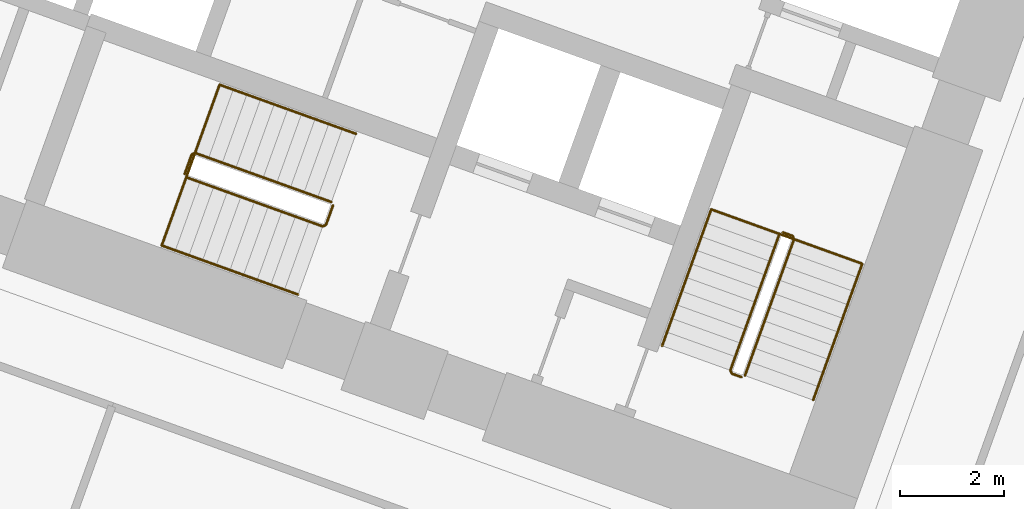
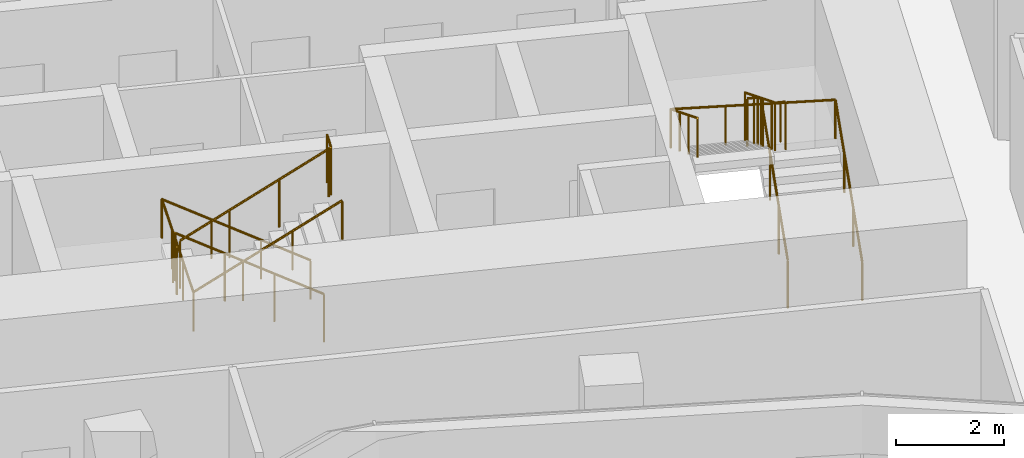
# One storey, part 20 of 20: 6 railings.
"""IFC4 building model written with IfcOpenShell, lengths in metres."""

import ifcopenshell
import ifcopenshell.guid

model = None  # the IFC model being written
_history = None  # IfcOwnerHistory: only IFC2X3 demands one
_inside = {}  # id of a spatial element -> (the spatial element, [elements in it])
_under = {}  # id of a project, library or spatial element -> (it, [spatial elements below it])
_declared = {}  # id of a project -> (the project, [libraries it declares])
_typed = {}  # id of a type object -> (the type object, [elements of that type])
_made_of = {}  # id of a material, layer set ... -> (it, [elements and type objects made of it])


def new_model(schema):
    """Start an empty IFC model of exactly this schema.

    Asked for "IFC4X3", IfcOpenShell would pick the latest addendum, in which some entities
    have other attributes; the version numbers below select the first issue.
    IFC2X3 requires an IfcOwnerHistory on every rooted entity: one is made here for all.
    """
    global model, _history
    if schema == "IFC4X3":
        model = ifcopenshell.file(schema_version=(4, 3, 0, 0))
    else:
        model = ifcopenshell.file(schema=schema)
    _inside.clear()
    _under.clear()
    _declared.clear()
    _typed.clear()
    _made_of.clear()
    _history = None
    if model.schema == "IFC2X3":
        org = make("IfcOrganization", Name="unknown")
        user = make(
            "IfcPersonAndOrganization",
            ThePerson=make("IfcPerson", FamilyName="unknown"),
            TheOrganization=org,
        )
        app = make(
            "IfcApplication",
            ApplicationDeveloper=org,
            Version="unknown",
            ApplicationFullName="unknown",
            ApplicationIdentifier="unknown",
        )
        _history = make(
            "IfcOwnerHistory",
            OwningUser=user,
            OwningApplication=app,
            ChangeAction="ADDED",
            CreationDate=0,
        )
    return model


def make(cls, **values):
    """One entity of the class cls with the attributes given. An attribute that is None is left unset."""
    return model.create_entity(
        cls, **{name: value for name, value in values.items() if value is not None}
    )


def rooted(cls, **values):
    """An entity with a GlobalId (a new one), such as an element, a storey or a relation."""
    return make(cls, GlobalId=ifcopenshell.guid.new(), OwnerHistory=_history, **values)


def si_unit(unit_type, name, prefix=None):
    """IfcSIUnit, for example si_unit("LENGTHUNIT", "METRE", prefix="MILLI")."""
    return make("IfcSIUnit", UnitType=unit_type, Prefix=prefix, Name=name)


def assignment(units):
    """IfcUnitAssignment: the units of a project."""
    return None if units is None else make("IfcUnitAssignment", Units=units)


def point(xyz):
    """IfcCartesianPoint."""
    return None if xyz is None else make("IfcCartesianPoint", Coordinates=xyz)


def direction(xyz):
    """IfcDirection."""
    return None if xyz is None else make("IfcDirection", DirectionRatios=xyz)


def frame(location, z_axis=None, x_axis=None):
    """IfcAxis2Placement3D, a coordinate frame: its origin and axes. An axis left out is left unset."""
    return make(
        "IfcAxis2Placement3D",
        Location=point(location),
        Axis=direction(z_axis),
        RefDirection=direction(x_axis),
    )


def frame_2d(location, x_axis=None):
    """IfcAxis2Placement2D, a coordinate frame in the plane: its origin and x axis."""
    return make(
        "IfcAxis2Placement2D", Location=point(location), RefDirection=direction(x_axis)
    )


def origin():
    """The frame at (0, 0, 0) with its axes left unset."""
    return frame((0.0, 0.0, 0.0))


def origin_2d():
    """The frame at (0, 0) in the plane with its x axis left unset."""
    return frame_2d((0.0, 0.0))


def place(relative_to, where):
    """IfcLocalPlacement: puts the frame where relative to a parent placement (None: the world)."""
    return make(
        "IfcLocalPlacement", PlacementRelTo=relative_to, RelativePlacement=where
    )


def context(
    kind, dimensions, precision=None, world=None, true_north=None, identifier=None
):
    """IfcGeometricRepresentationContext, for example the 3D "Model" context."""
    return make(
        "IfcGeometricRepresentationContext",
        ContextIdentifier=identifier,
        ContextType=kind,
        CoordinateSpaceDimension=dimensions,
        Precision=precision,
        WorldCoordinateSystem=world,
        TrueNorth=true_north,
    )


def subcontext(parent, identifier, kind, view, scale=None):
    """IfcGeometricRepresentationSubContext, for example "Body" below "Model"."""
    return make(
        "IfcGeometricRepresentationSubContext",
        ContextIdentifier=identifier,
        ContextType=kind,
        ParentContext=parent,
        TargetScale=scale,
        TargetView=view,
    )


def project(units=None, contexts=None):
    """IfcProject with its units and contexts."""
    return rooted(
        "IfcProject",
        Name="project",
        RepresentationContexts=contexts,
        UnitsInContext=assignment(units),
    )


def spatial(cls, under=None, at=None, **own):
    """A site, building, storey or space (cls), placed at a placement, below another one or the project."""
    s = rooted(cls, ObjectPlacement=at, **own)
    if under is not None:
        _under.setdefault(under.id(), (under, []))[1].append(s)
    return s


def profile(cls, at=None, kind="AREA", **sizes):
    """A parametric profile (cls). Its sizes go by their IFC names, for example OverallWidth=200.0."""
    return make(cls, ProfileType=kind, Position=at, **sizes)


def circle(**sizes):
    """IfcCircleProfileDef."""
    return profile("IfcCircleProfileDef", **sizes)


def extrude(swept, where, along, depth):
    """IfcExtrudedAreaSolid: the profile swept, set in the frame where, extruded along a direction by depth."""
    return make(
        "IfcExtrudedAreaSolid",
        SweptArea=swept,
        Position=where,
        ExtrudedDirection=direction(along),
        Depth=depth,
    )


def shape(context_of_items, identifier, shape_type, items):
    """IfcShapeRepresentation: the items that make up one representation, for example the "Body"."""
    return make(
        "IfcShapeRepresentation",
        ContextOfItems=context_of_items,
        RepresentationIdentifier=identifier,
        RepresentationType=shape_type,
        Items=items,
    )


def material(Name=None, Category=None):
    """IfcMaterial."""
    return make("IfcMaterial", Name=Name, Category=Category)


def made_of(thing, what):
    """Note that an element or type object is made of a material, layer set ...; save() writes the relation."""
    if what is not None:
        _made_of.setdefault(what.id(), (what, []))[1].append(thing)
    return thing


def type_object(cls, material=None, **own):
    """A type object (cls), such as IfcWallType, which elements share."""
    return made_of(rooted(cls, **own), material)


def element(
    cls,
    number,
    at=None,
    inside=None,
    cuts=None,
    type_object=None,
    material=None,
    context=None,
    identifier="Body",
    shape_type=None,
    held_by="IfcProductDefinitionShape",
    body=None,
    shapes=None,
    **own,
):
    """One element of the class cls, such as IfcWall. Its Tag is "e" and its number.

    at: its placement. inside: the storey or other place that contains it. cuts: it is an
    opening in that element (IfcRelVoidsElement). A single representation is given by context,
    identifier, shape_type and body (its items); several are given by shapes. held_by: the class
    of the entity that holds the representations. save() writes the other relations.
    """
    e = rooted(cls, Tag="e%d" % number, ObjectPlacement=at, **own)
    if body is not None:
        shapes = [shape(context, identifier, shape_type, body)]
    if shapes is not None:
        e.Representation = make(held_by, Representations=shapes)
    if inside is not None:
        _inside.setdefault(inside.id(), (inside, []))[1].append(e)
    if cuts is not None:
        rooted(
            "IfcRelVoidsElement", RelatingBuildingElement=cuts, RelatedOpeningElement=e
        )
    if type_object is not None:
        _typed.setdefault(type_object.id(), (type_object, []))[1].append(e)
    return made_of(e, material)


def aggregate(whole, parts):
    """IfcRelAggregates: a whole, such as a stair, and the parts it consists of."""
    return rooted("IfcRelAggregates", RelatingObject=whole, RelatedObjects=parts)


def save(model, path):
    """Write the relations noted so far, then the file.

    IfcRelAggregates (storeys below a building ...), IfcRelContainedInSpatialStructure (elements
    in a storey), IfcRelDefinesByType, IfcRelAssociatesMaterial and IfcRelDeclares: one each for
    every whole, place, type object, material and project.
    """
    for whole, parts in _under.values():
        aggregate(whole, parts)
    for where, things in _inside.values():
        rooted(
            "IfcRelContainedInSpatialStructure",
            RelatedElements=things,
            RelatingStructure=where,
        )
    for kind, things in _typed.values():
        rooted("IfcRelDefinesByType", RelatedObjects=things, RelatingType=kind)
    for what, things in _made_of.values():
        rooted("IfcRelAssociatesMaterial", RelatedObjects=things, RelatingMaterial=what)
    for by, libraries in _declared.values():
        rooted("IfcRelDeclares", RelatingContext=by, RelatedDefinitions=libraries)
    model.write(path)


model = new_model("IFC4")

# Units and contexts
model_context = context("Model", 3, precision=1e-05, world=origin(), true_north=direction((0.0, 1.0)))
body_context = subcontext(model_context, "Body", "Model", "MODEL_VIEW")
ifc_project = project(units=[si_unit("LENGTHUNIT", "METRE"), si_unit("AREAUNIT", "SQUARE_METRE"), si_unit("VOLUMEUNIT", "CUBIC_METRE"), si_unit("PLANEANGLEUNIT", "RADIAN"), si_unit("MASSUNIT", "GRAM", prefix="KILO")], contexts=[model_context])

# Site, building, storey
site_placement = place(None, origin())
site = spatial("IfcSite", under=ifc_project, at=site_placement, CompositionType="ELEMENT")
building_placement = place(site_placement, origin())
building = spatial("IfcBuilding", under=site, at=building_placement, Name="Stone Belt Terrace Tower", CompositionType="ELEMENT")
storey_placement = place(building_placement, frame((0.0, 0.0, 182.0)))
storey = spatial("IfcBuildingStorey", under=building, at=storey_placement, Name="L44", CompositionType="ELEMENT", Elevation=182.0)

# Railings
ifc_material = material(Name="Structural steel C345", Category="steel")
railing_type_1 = type_object("IfcRailingType", Name="Stair guard 1100", PredefinedType="GUARDRAIL", material=ifc_material)
railing_1_placement = place(storey_placement, frame((24.494140625, 45.174560546875, 0.172607421875)))
element("IfcRailing", 1, at=railing_1_placement, inside=storey, type_object=railing_type_1, Name="L44 ST1B stair guard 1", PredefinedType="GUARDRAIL", context=body_context, shape_type="SweptSolid", body=[
    extrude(circle(Radius=0.02392578125, at=origin_2d()), frame((0.0, 0.0, 1.076171875), z_axis=(0.288228637646, 0.800791768495, 0.525030280985), x_axis=(-0.940908529223, 0.338660803216, 0.0)), (0.0, 0.0, 1.0), 3.289794921875),
    extrude(circle(Radius=0.02392578125, at=origin_2d()), frame((0.9482421875, 2.634521484375, 2.80322265625), z_axis=(-0.424964916, 0.905209821074, 0.0), x_axis=(-0.905209821074, -0.424964916, 0.0)), (0.0, 0.0, 1.0), 0.070556640625),
    extrude(circle(Radius=0.02392578125, at=origin_2d()), frame((0.918212890625, 2.698486328125, 2.80322265625), z_axis=(-0.941105063269, 0.338114270461, 0.0), x_axis=(-0.338114270461, -0.941105063269, 0.0)), (0.0, 0.0, 1.0), 0.199951171875),
    extrude(circle(Radius=0.02099609375, at=origin_2d()), origin(), (0.0, 0.0, 1.0), 1.052001953125),
    extrude(circle(Radius=0.02099609375, at=origin_2d()), frame((0.316162109375, 0.878173828125, 0.57568359375)), (0.0, 0.0, 1.0), 1.052001953125),
    extrude(circle(Radius=0.02099609375, at=origin_2d()), frame((0.632080078125, 1.75634765625, 1.151611328125)), (0.0, 0.0, 1.0), 1.052001953125),
    extrude(circle(Radius=0.02099609375, at=origin_2d()), frame((0.9482421875, 2.634521484375, 1.727294921875)), (0.0, 0.0, 1.0), 1.052001953125),
    extrude(circle(Radius=0.02099609375, at=origin_2d()), frame((0.918212890625, 2.698486328125, 1.727294921875)), (0.0, 0.0, 1.0), 1.052001953125),
    extrude(circle(Radius=0.02099609375, at=origin_2d()), frame((0.72998046875, 2.76611328125, 1.727294921875)), (0.0, 0.0, 1.0), 1.052001953125),
])
railing_2_placement = place(storey_placement, frame((25.16015625, 47.91064453125, 2.07275390625)))
element("IfcRailing", 2, at=railing_2_placement, inside=storey, type_object=railing_type_1, Name="L44 ST1B stair guard 2", PredefinedType="GUARDRAIL", context=body_context, shape_type="SweptSolid", body=[
    extrude(circle(Radius=0.02392578125, at=origin_2d()), frame((0.0, 0.0, 1.076171875), z_axis=(-0.288228637646, -0.800791768495, 0.525030280985), x_axis=(0.940908529223, -0.338660803216, 0.0)), (0.0, 0.0, 1.0), 3.289794921875),
    extrude(circle(Radius=0.02392578125, at=origin_2d()), frame((-0.9482421875, -2.634521484375, 2.80322265625), z_axis=(0.427789722475, -0.903878284585, 0.0), x_axis=(0.903878284585, 0.427789722475, 0.0)), (0.0, 0.0, 1.0), 0.07080078125),
    extrude(circle(Radius=0.02392578125, at=origin_2d()), frame((-0.91796875, -2.698486328125, 2.80322265625), z_axis=(0.940575576748, -0.339584429008, 0.0), x_axis=(0.339584429008, 0.940575576748, 0.0)), (0.0, 0.0, 1.0), 0.199951171875),
    extrude(circle(Radius=0.02099609375, at=origin_2d()), origin(), (0.0, 0.0, 1.0), 1.052001953125),
    extrude(circle(Radius=0.02099609375, at=origin_2d()), frame((-0.316162109375, -0.878173828125, 0.57568359375)), (0.0, 0.0, 1.0), 1.052001953125),
    extrude(circle(Radius=0.02099609375, at=origin_2d()), frame((-0.632080078125, -1.75634765625, 1.151611328125)), (0.0, 0.0, 1.0), 1.052001953125),
    extrude(circle(Radius=0.02099609375, at=origin_2d()), frame((-0.9482421875, -2.634521484375, 1.727294921875)), (0.0, 0.0, 1.0), 1.052001953125),
    extrude(circle(Radius=0.02099609375, at=origin_2d()), frame((-0.91796875, -2.698486328125, 1.727294921875)), (0.0, 0.0, 1.0), 1.052001953125),
    extrude(circle(Radius=0.02099609375, at=origin_2d()), frame((-0.72998046875, -2.766357421875, 1.727294921875)), (0.0, 0.0, 1.0), 1.052001953125),
])
railing_3_placement = place(storey_placement, frame((16.507568359375, 48.527099609375, 0.172607421875)))
element("IfcRailing", 3, at=railing_3_placement, inside=storey, type_object=railing_type_1, Name="L44 ST2B stair guard 1", PredefinedType="GUARDRAIL", context=body_context, shape_type="SweptSolid", body=[
    extrude(circle(Radius=0.02392578125, at=origin_2d()), frame((0.0, 0.0, 1.076171875), z_axis=(-0.800808895155, 0.288160591223, 0.52504150989), x_axis=(-0.338583606334, -0.940936311087, 0.0)), (0.0, 0.0, 1.0), 3.289794921875),
    extrude(circle(Radius=0.02392578125, at=origin_2d()), frame((-2.634521484375, 0.947998046875, 2.80322265625), z_axis=(-0.905209821074, -0.424964916, 0.0), x_axis=(0.424964916, -0.905209821074, 0.0)), (0.0, 0.0, 1.0), 0.070556640625),
    extrude(circle(Radius=0.02392578125, at=origin_2d()), frame((-2.698486328125, 0.91796875, 2.80322265625), z_axis=(-0.338654645739, -0.940910745459, 0.0), x_axis=(0.940910745459, -0.338654645739, 0.0)), (0.0, 0.0, 1.0), 0.400146484375),
    extrude(circle(Radius=0.02099609375, at=origin_2d()), origin(), (0.0, 0.0, 1.0), 1.052001953125),
    extrude(circle(Radius=0.02099609375, at=origin_2d()), frame((-0.878173828125, 0.31591796875, 0.57568359375)), (0.0, 0.0, 1.0), 1.052001953125),
    extrude(circle(Radius=0.02099609375, at=origin_2d()), frame((-1.75634765625, 0.632080078125, 1.151611328125)), (0.0, 0.0, 1.0), 1.052001953125),
    extrude(circle(Radius=0.02099609375, at=origin_2d()), frame((-2.634521484375, 0.947998046875, 1.727294921875)), (0.0, 0.0, 1.0), 1.052001953125),
    extrude(circle(Radius=0.02099609375, at=origin_2d()), frame((-2.698486328125, 0.91796875, 1.727294921875)), (0.0, 0.0, 1.0), 1.052001953125),
    extrude(circle(Radius=0.02099609375, at=origin_2d()), frame((-2.833984375, 0.54150390625, 1.727294921875)), (0.0, 0.0, 1.0), 1.052001953125),
])
railing_4_placement = place(storey_placement, frame((13.703857421875, 49.004638671875, 2.07275390625)))
element("IfcRailing", 4, at=railing_4_placement, inside=storey, type_object=railing_type_1, Name="L44 ST2B stair guard 2", PredefinedType="GUARDRAIL", context=body_context, shape_type="SweptSolid", body=[
    extrude(circle(Radius=0.02392578125, at=origin_2d()), frame((0.0, 0.0, 1.076171875), z_axis=(0.800808895155, -0.288160591223, 0.52504150989), x_axis=(0.338583606334, 0.940936311087, 0.0)), (0.0, 0.0, 1.0), 3.289794921875),
    extrude(circle(Radius=0.02392578125, at=origin_2d()), frame((2.634521484375, -0.947998046875, 2.80322265625), z_axis=(0.905209821074, 0.424964916, 0.0), x_axis=(-0.424964916, 0.905209821074, 0.0)), (0.0, 0.0, 1.0), 0.070556640625),
    extrude(circle(Radius=0.02392578125, at=origin_2d()), frame((2.698486328125, -0.91796875, 2.80322265625), z_axis=(0.338654645739, 0.940910745459, 0.0), x_axis=(-0.940910745459, 0.338654645739, 0.0)), (0.0, 0.0, 1.0), 0.400146484375),
    extrude(circle(Radius=0.02099609375, at=origin_2d()), origin(), (0.0, 0.0, 1.0), 1.052001953125),
    extrude(circle(Radius=0.02099609375, at=origin_2d()), frame((0.878173828125, -0.31591796875, 0.57568359375)), (0.0, 0.0, 1.0), 1.052001953125),
    extrude(circle(Radius=0.02099609375, at=origin_2d()), frame((1.75634765625, -0.632080078125, 1.151611328125)), (0.0, 0.0, 1.0), 1.052001953125),
    extrude(circle(Radius=0.02099609375, at=origin_2d()), frame((2.634521484375, -0.947998046875, 1.727294921875)), (0.0, 0.0, 1.0), 1.052001953125),
    extrude(circle(Radius=0.02099609375, at=origin_2d()), frame((2.698486328125, -0.91796875, 1.727294921875)), (0.0, 0.0, 1.0), 1.052001953125),
    extrude(circle(Radius=0.02099609375, at=origin_2d()), frame((2.833984375, -0.54150390625, 1.727294921875)), (0.0, 0.0, 1.0), 1.052001953125),
])
railing_type_2 = type_object("IfcRailingType", Name="Stair handrail 900", PredefinedType="HANDRAIL", material=ifc_material)
railing_5_placement = place(storey_placement, frame((25.8115234375, 44.700439453125, 0.172607421875)))
element("IfcRailing", 5, at=railing_5_placement, inside=storey, type_object=railing_type_2, Name="L44 ST1B stair handrail 1", PredefinedType="HANDRAIL", context=body_context, shape_type="SweptSolid", body=[
    extrude(circle(Radius=0.02392578125, at=origin_2d()), frame((0.0, 0.0, 0.8759765625), z_axis=(0.288228637646, 0.800791768495, 0.525030280985), x_axis=(-0.940908529223, 0.338660803216, 0.0)), (0.0, 0.0, 1.0), 3.289794921875),
    extrude(circle(Radius=0.02392578125, at=origin_2d()), frame((0.9482421875, 2.634521484375, 2.60302734375), z_axis=(-0.939460408074, 0.338105101667, 0.055669398135), x_axis=(-0.338630230244, -0.940919532779, 0.0)), (0.0, 0.0, 1.0), 3.10498046875),
    extrude(circle(Radius=0.02392578125, at=origin_2d()), frame((-1.96875, 3.684326171875, 2.77587890625), z_axis=(-0.288160591223, -0.800808895155, 0.52504150989), x_axis=(0.940936311087, -0.338583606334, 0.0)), (0.0, 0.0, 1.0), 3.289794921875),
    extrude(circle(Radius=0.02099609375, at=origin_2d()), origin(), (0.0, 0.0, 1.0), 0.851806640625),
    extrude(circle(Radius=0.02099609375, at=origin_2d()), frame((0.316162109375, 0.878173828125, 0.57568359375)), (0.0, 0.0, 1.0), 0.851806640625),
    extrude(circle(Radius=0.02099609375, at=origin_2d()), frame((0.632080078125, 1.75634765625, 1.151611328125)), (0.0, 0.0, 1.0), 0.851806640625),
    extrude(circle(Radius=0.02099609375, at=origin_2d()), frame((0.9482421875, 2.634521484375, 1.727294921875)), (0.0, 0.0, 1.0), 0.851806640625),
    extrude(circle(Radius=0.02099609375, at=origin_2d()), frame((-0.024169921875, 2.984375, 1.784912109375)), (0.0, 0.0, 1.0), 0.851806640625),
    extrude(circle(Radius=0.02099609375, at=origin_2d()), frame((-0.996337890625, 3.33447265625, 1.842529296875)), (0.0, 0.0, 1.0), 0.851806640625),
    extrude(circle(Radius=0.02099609375, at=origin_2d()), frame((-1.96875, 3.684326171875, 1.900146484375)), (0.0, 0.0, 1.0), 0.851806640625),
    extrude(circle(Radius=0.02099609375, at=origin_2d()), frame((-2.28466796875, 2.80615234375, 2.475830078125)), (0.0, 0.0, 1.0), 0.851806640625),
    extrude(circle(Radius=0.02099609375, at=origin_2d()), frame((-2.600830078125, 1.927978515625, 3.0517578125)), (0.0, 0.0, 1.0), 0.851806640625),
    extrude(circle(Radius=0.02099609375, at=origin_2d()), frame((-2.916748046875, 1.0498046875, 3.62744140625)), (0.0, 0.0, 1.0), 0.851806640625),
])
railing_6_placement = place(storey_placement, frame((16.981689453125, 49.84423828125, 0.172607421875)))
element("IfcRailing", 6, at=railing_6_placement, inside=storey, type_object=railing_type_2, Name="L44 ST2B stair handrail 1", PredefinedType="HANDRAIL", context=body_context, shape_type="SweptSolid", body=[
    extrude(circle(Radius=0.02392578125, at=origin_2d()), frame((0.0, 0.0, 0.8759765625), z_axis=(-0.800791768495, 0.288228637646, 0.525030280985), x_axis=(-0.338660803216, -0.940908529223, 0.0)), (0.0, 0.0, 1.0), 3.289794921875),
    extrude(circle(Radius=0.02392578125, at=origin_2d()), frame((-2.634521484375, 0.9482421875, 2.60302734375), z_axis=(-0.338158948057, -0.939634149308, 0.052308615955), x_axis=(0.940922302781, -0.338622533404, 0.0)), (0.0, 0.0, 1.0), 3.304443359375),
    extrude(circle(Radius=0.02392578125, at=origin_2d()), frame((-3.751953125, -2.15673828125, 2.77587890625), z_axis=(0.800791768495, -0.288228637646, 0.525030280985), x_axis=(0.338660803216, 0.940908529223, 0.0)), (0.0, 0.0, 1.0), 3.289794921875),
    extrude(circle(Radius=0.02099609375, at=origin_2d()), origin(), (0.0, 0.0, 1.0), 0.851806640625),
    extrude(circle(Radius=0.02099609375, at=origin_2d()), frame((-0.878173828125, 0.316162109375, 0.57568359375)), (0.0, 0.0, 1.0), 0.851806640625),
    extrude(circle(Radius=0.02099609375, at=origin_2d()), frame((-1.75634765625, 0.632080078125, 1.151611328125)), (0.0, 0.0, 1.0), 0.851806640625),
    extrude(circle(Radius=0.02099609375, at=origin_2d()), frame((-2.634521484375, 0.9482421875, 1.727294921875)), (0.0, 0.0, 1.0), 0.851806640625),
    extrude(circle(Radius=0.02099609375, at=origin_2d()), frame((-3.007080078125, -0.086669921875, 1.784912109375)), (0.0, 0.0, 1.0), 0.851806640625),
    extrude(circle(Radius=0.02099609375, at=origin_2d()), frame((-3.37939453125, -1.121826171875, 1.842529296875)), (0.0, 0.0, 1.0), 0.851806640625),
    extrude(circle(Radius=0.02099609375, at=origin_2d()), frame((-3.751953125, -2.15673828125, 1.900146484375)), (0.0, 0.0, 1.0), 0.851806640625),
    extrude(circle(Radius=0.02099609375, at=origin_2d()), frame((-2.873779296875, -2.472900390625, 2.475830078125)), (0.0, 0.0, 1.0), 0.851806640625),
    extrude(circle(Radius=0.02099609375, at=origin_2d()), frame((-1.99560546875, -2.788818359375, 3.0517578125)), (0.0, 0.0, 1.0), 0.851806640625),
    extrude(circle(Radius=0.02099609375, at=origin_2d()), frame((-1.117431640625, -3.10498046875, 3.62744140625)), (0.0, 0.0, 1.0), 0.851806640625),
])

save(model, "model.ifc")
